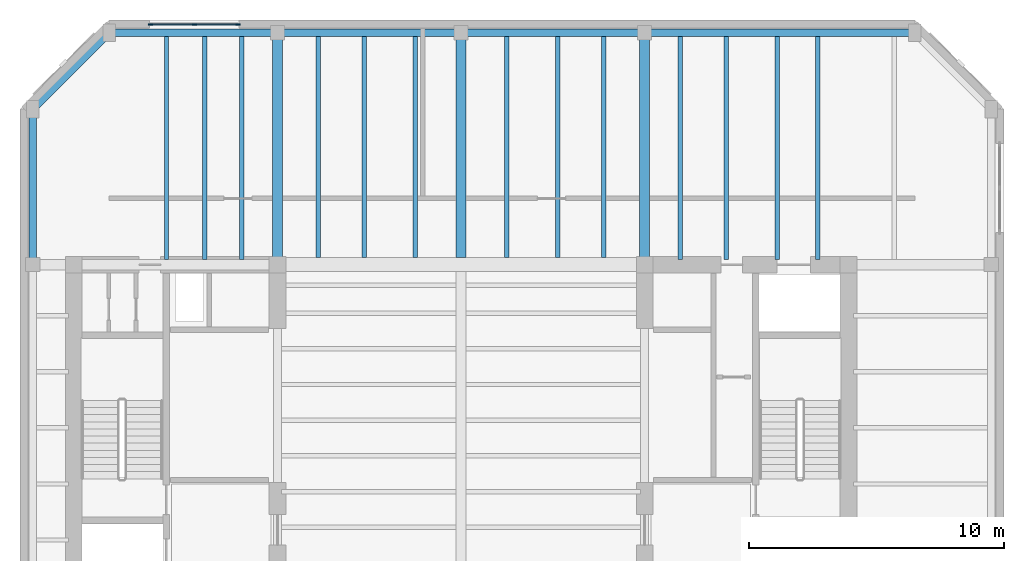
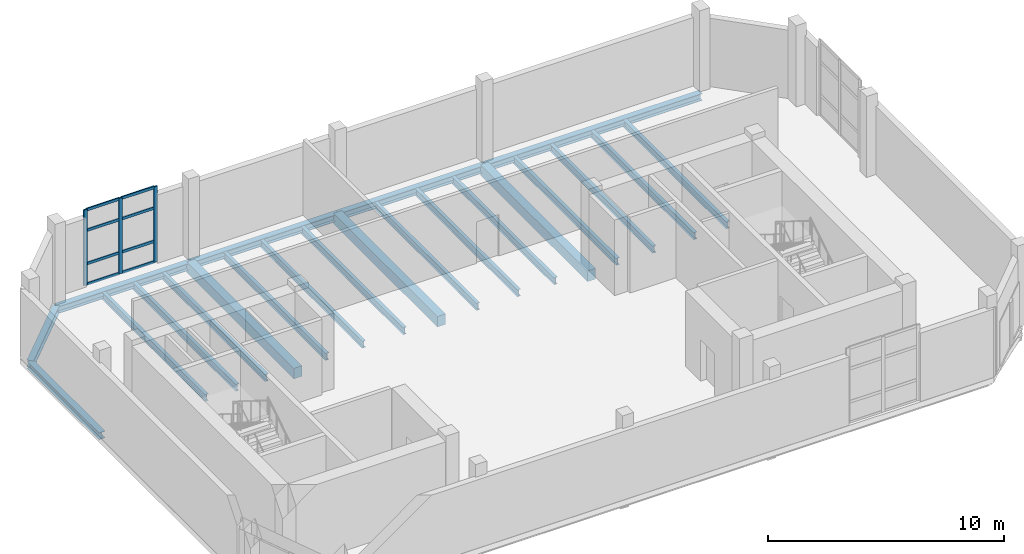
# One storey, part 3 of 8: 22 beams, 11 members, 1 element without a shape of its own.
"""IFC4 building model written with IfcOpenShell, lengths in metres."""

from ifc_helpers import new_model, si_unit, direction, frame, origin, origin_2d, place, context, subcontext, project, spatial, rectangle, i_section, extrude, material, layer, layer_set, material_profile, profile_set, type_object, element, aggregate, save


model = new_model("IFC4")

# Units and contexts
model_context = context("Model", 3, precision=1e-05, world=origin(), true_north=direction((0.0, 1.0)))
body_context = subcontext(model_context, "Body", "Model", "MODEL_VIEW")
ifc_project = project(units=[si_unit("LENGTHUNIT", "METRE"), si_unit("AREAUNIT", "SQUARE_METRE"), si_unit("VOLUMEUNIT", "CUBIC_METRE"), si_unit("PLANEANGLEUNIT", "RADIAN"), si_unit("MASSUNIT", "GRAM", prefix="KILO")], contexts=[model_context])

# Site, building, storey
site_placement = place(None, origin())
site = spatial("IfcSite", under=ifc_project, at=site_placement, CompositionType="ELEMENT")
building_placement = place(site_placement, origin())
building = spatial("IfcBuilding", under=site, at=building_placement, Name="Kranthara Brick Stack", CompositionType="ELEMENT")
storey_placement = place(building_placement, frame((0.0, 0.0, 300.60009765625)))
storey = spatial("IfcBuildingStorey", under=building, at=storey_placement, Name="L79", CompositionType="ELEMENT", Elevation=300.60009765625)

# Beams
ifc_material_1 = material(Name="Post-tensioned concrete C45/55", Category="concrete")
ifc_material_profile_1 = material_profile(ifc_material_1, rectangle(XDim=0.39990234375, YDim=0.550048828125, at=origin_2d()), Name="PT 400x550")
ifc_profile_set_1 = profile_set([ifc_material_profile_1], Name="Post-tensioned concrete C45/55")
beam_type_1 = type_object("IfcBeamType", Name="BM-FLR-PT550", PredefinedType="BEAM", material=ifc_profile_set_1)
beam_1_placement = place(storey_placement, frame((20.800048828125, 33.60009765625, -0.55517578125), z_axis=(0.0, 1.0, 0.0), x_axis=(-1.0, 0.0, 0.0)))
element("IfcBeam", 1, at=beam_1_placement, inside=storey, type_object=beam_type_1, Name="L79 Primary Grid Girder 022", PredefinedType="BEAM", context=body_context, shape_type="SweptSolid", body=[
    extrude(rectangle(XDim=0.39990234375, YDim=0.550048828125, at=origin_2d()), origin(), (0.0, 0.0, 1.0), 9.099853515625),
])
beam_2_placement = place(storey_placement, frame((28.0, 33.875, -0.55517578125), z_axis=(0.0, 1.0, 0.0), x_axis=(-1.0, 0.0, 0.0)))
element("IfcBeam", 2, at=beam_2_placement, inside=storey, type_object=beam_type_1, Name="L79 Primary Grid Girder 025", PredefinedType="BEAM", context=body_context, shape_type="SweptSolid", body=[
    extrude(rectangle(XDim=0.39990234375, YDim=0.550048828125, at=origin_2d()), origin(), (0.0, 0.0, 1.0), 8.824951171875),
])
beam_3_placement = place(storey_placement, frame((35.199951171875, 33.60009765625, -0.55517578125), z_axis=(0.0, 1.0, 0.0), x_axis=(-1.0, 0.0, 0.0)))
element("IfcBeam", 3, at=beam_3_placement, inside=storey, type_object=beam_type_1, Name="L79 Primary Grid Girder 027", PredefinedType="BEAM", context=body_context, shape_type="SweptSolid", body=[
    extrude(rectangle(XDim=0.39990234375, YDim=0.550048828125, at=origin_2d()), origin(), (0.0, 0.0, 1.0), 9.099853515625),
])
ifc_material_2 = material(Name="Steel S355", Category="steel")
ifc_material_profile_2 = material_profile(ifc_material_2, i_section(OverallWidth=0.169921875, OverallDepth=0.360107421875, WebThickness=0.008056640625, FlangeThickness=0.0126953125, at=origin_2d()), Name="IPE 360")
ifc_profile_set_2 = profile_set([ifc_material_profile_2], Name="Steel S355")
beam_type_2 = type_object("IfcBeamType", Name="BM-JST-IPE360", PredefinedType="JOIST", material=ifc_profile_set_2)
for number, where, z_axis, x_axis, name in (
    (4, (16.449951171875, 33.800048828125, -0.460205078125), (0.0, 1.0, 0.0), (-1.0, 0.0, 0.0), "L79 North Wing Floor Joist 051"),
    (5, (17.949951171875, 33.800048828125, -0.460205078125), (0.0, 1.0, 0.0), (-1.0, 0.0, 0.0), "L79 North Wing Floor Joist 053"),
    (6, (19.39990234375, 33.800048828125, -0.460205078125), (0.0, 1.0, 0.0), (-1.0, 0.0, 0.0), "L79 North Wing Floor Joist 055"),
):
    element("IfcBeam", number, at=place(storey_placement, frame(where, z_axis=z_axis, x_axis=x_axis)), inside=storey, type_object=beam_type_2, Name=name, PredefinedType="JOIST", context=body_context, shape_type="SweptSolid", body=[
        extrude(i_section(OverallWidth=0.169921875, OverallDepth=0.360107421875, WebThickness=0.008056640625, FlangeThickness=0.0126953125, at=origin_2d()), origin(), (0.0, 0.0, 1.0), 8.75),
    ])
for number, where, z_axis, x_axis, name in (
    (7, (22.39990234375, 33.875, -0.460205078125), (0.0, 1.0, 0.0), (-1.0, 0.0, 0.0), "L79 North Wing Floor Joist 057"),
    (8, (24.199951171875, 33.875, -0.460205078125), (0.0, 1.0, 0.0), (-1.0, 0.0, 0.0), "L79 North Wing Floor Joist 059"),
    (9, (26.199951171875, 33.875, -0.460205078125), (0.0, 1.0, 0.0), (-1.0, 0.0, 0.0), "L79 North Wing Floor Joist 061"),
    (10, (29.800048828125, 33.875, -0.460205078125), (0.0, 1.0, 0.0), (-1.0, 0.0, 0.0), "L79 North Wing Floor Joist 063"),
    (11, (31.800048828125, 33.875, -0.460205078125), (0.0, 1.0, 0.0), (-1.0, 0.0, 0.0), "L79 North Wing Floor Joist 065"),
    (12, (33.60009765625, 33.875, -0.460205078125), (0.0, 1.0, 0.0), (-1.0, 0.0, 0.0), "L79 North Wing Floor Joist 067"),
):
    element("IfcBeam", number, at=place(storey_placement, frame(where, z_axis=z_axis, x_axis=x_axis)), inside=storey, type_object=beam_type_2, Name=name, PredefinedType="JOIST", context=body_context, shape_type="SweptSolid", body=[
        extrude(i_section(OverallWidth=0.169921875, OverallDepth=0.360107421875, WebThickness=0.008056640625, FlangeThickness=0.0126953125, at=origin_2d()), origin(), (0.0, 0.0, 1.0), 8.675048828125),
    ])
for number, where, z_axis, x_axis, name in (
    (13, (36.60009765625, 33.800048828125, -0.460205078125), (0.0, 1.0, 0.0), (-1.0, 0.0, 0.0), "L79 North Wing Floor Joist 069"),
    (14, (38.39990234375, 33.800048828125, -0.460205078125), (0.0, 1.0, 0.0), (-1.0, 0.0, 0.0), "L79 North Wing Floor Joist 071"),
    (15, (40.39990234375, 33.800048828125, -0.460205078125), (0.0, 1.0, 0.0), (-1.0, 0.0, 0.0), "L79 North Wing Floor Joist 073"),
    (16, (42.0, 33.800048828125, -0.460205078125), (0.0, 1.0, 0.0), (-1.0, 0.0, 0.0), "L79 North Wing Floor Joist 075"),
):
    element("IfcBeam", number, at=place(storey_placement, frame(where, z_axis=z_axis, x_axis=x_axis)), inside=storey, type_object=beam_type_2, Name=name, PredefinedType="JOIST", context=body_context, shape_type="SweptSolid", body=[
        extrude(i_section(OverallWidth=0.169921875, OverallDepth=0.360107421875, WebThickness=0.008056640625, FlangeThickness=0.0126953125, at=origin_2d()), origin(), (0.0, 0.0, 1.0), 8.75),
    ])
ifc_material_3 = material(Name="Steel S355", Category="steel")
ifc_material_profile_3 = material_profile(ifc_material_3, i_section(OverallWidth=0.300048828125, OverallDepth=0.360107421875, WebThickness=0.012451171875, FlangeThickness=0.0224609375, at=origin_2d()), Name="HEB 360")
ifc_profile_set_3 = profile_set([ifc_material_profile_3], Name="Steel S355")
beam_type_3 = type_object("IfcBeamType", Name="BM-STL-HEB360", PredefinedType="SPANDREL", material=ifc_profile_set_3)
beam_4_placement = place(storey_placement, frame((14.199951171875, 42.699951171875, -0.460205078125), z_axis=(1.0, 0.0, 0.0), x_axis=(0.0, 1.0, 0.0)))
element("IfcBeam", 17, at=beam_4_placement, inside=storey, type_object=beam_type_3, Name="L79 Perimeter Spandrel Beam 009", PredefinedType="SPANDREL", context=body_context, shape_type="SweptSolid", body=[
    extrude(i_section(OverallWidth=0.300048828125, OverallDepth=0.360107421875, WebThickness=0.012451171875, FlangeThickness=0.0224609375, at=origin_2d()), origin(), (0.0, 0.0, 1.0), 6.60009765625),
])
for number, where, z_axis, x_axis, name in (
    (18, (20.800048828125, 42.699951171875, -0.460205078125), (1.0, 0.0, 0.0), (0.0, 1.0, 0.0), "L79 Perimeter Spandrel Beam 010"),
    (19, (28.0, 42.699951171875, -0.460205078125), (1.0, 0.0, 0.0), (0.0, 1.0, 0.0), "L79 Perimeter Spandrel Beam 011"),
):
    element("IfcBeam", number, at=place(storey_placement, frame(where, z_axis=z_axis, x_axis=x_axis)), inside=storey, type_object=beam_type_3, Name=name, PredefinedType="SPANDREL", context=body_context, shape_type="SweptSolid", body=[
        extrude(i_section(OverallWidth=0.300048828125, OverallDepth=0.360107421875, WebThickness=0.012451171875, FlangeThickness=0.0224609375, at=origin_2d()), origin(), (0.0, 0.0, 1.0), 7.199951171875),
    ])
beam_5_placement = place(storey_placement, frame((35.199951171875, 42.699951171875, -0.460205078125), z_axis=(1.0, 0.0, 0.0), x_axis=(0.0, 1.0, 0.0)))
element("IfcBeam", 20, at=beam_5_placement, inside=storey, type_object=beam_type_3, Name="L79 Perimeter Spandrel Beam 012", PredefinedType="SPANDREL", context=body_context, shape_type="SweptSolid", body=[
    extrude(i_section(OverallWidth=0.300048828125, OverallDepth=0.360107421875, WebThickness=0.012451171875, FlangeThickness=0.0224609375, at=origin_2d()), origin(), (0.0, 0.0, 1.0), 10.60009765625),
])
beam_6_placement = place(storey_placement, frame((11.199951171875, 33.60009765625, -0.460205078125), z_axis=(0.0, 1.0, 0.0), x_axis=(-1.0, 0.0, 0.0)))
element("IfcBeam", 21, at=beam_6_placement, inside=storey, type_object=beam_type_3, Name="L79 Perimeter Spandrel Beam 014", PredefinedType="SPANDREL", context=body_context, shape_type="SweptSolid", body=[
    extrude(i_section(OverallWidth=0.300048828125, OverallDepth=0.360107421875, WebThickness=0.012451171875, FlangeThickness=0.0224609375, at=origin_2d()), origin(), (0.0, 0.0, 1.0), 6.099853515625),
])
beam_7_placement = place(storey_placement, frame((14.199951171875, 42.699951171875, -0.460205078125), z_axis=(-0.707106781187, -0.707106781187, 0.0), x_axis=(0.707106781187, -0.707106781187, 0.0)))
element("IfcBeam", 22, at=beam_7_placement, inside=storey, type_object=beam_type_3, Name="L79 Chamfer Corner Spandrel 019", PredefinedType="SPANDREL", context=body_context, shape_type="SweptSolid", body=[
    extrude(i_section(OverallWidth=0.300048828125, OverallDepth=0.360107421875, WebThickness=0.012451171875, FlangeThickness=0.0224609375, at=origin_2d()), origin(), (0.0, 0.0, 1.0), 4.24267578125),
])

# Curtain wall, members
ifc_material_4 = material(Name="Bronze anodised aluminium and low-E glass", Category="aluminium")
ifc_layer = layer(ifc_material_4, 0.25)
ifc_layer_set = layer_set([ifc_layer], Name="Bronze anodised aluminium and low-E glass")
curtain_wall_type = type_object("IfcCurtainWallType", Name="CW-SYS6-CROWN", PredefinedType="USERDEFINED", material=ifc_layer_set)
curtain_wall_placement = place(storey_placement, origin())
curtain_wall = element("IfcCurtainWall", 23, at=curtain_wall_placement, inside=storey, type_object=curtain_wall_type, Name="L79 Curtain Wall CW6-L79-02", ObjectType="UNITISED CURTAIN WALL", PredefinedType="USERDEFINED")
ifc_material_5 = material(Name="Bronze anodised aluminium 6063-T6", Category="aluminium")
ifc_material_profile_4 = material_profile(ifc_material_5, rectangle(XDim=0.06494140625, YDim=0.179931640625, at=origin_2d()), Name="ALU MULLION 65x180")
ifc_profile_set_4 = profile_set([ifc_material_profile_4], Name="Bronze anodised aluminium 6063-T6")
member_type_1 = type_object("IfcMemberType", Name="CWM-65x180", PredefinedType="MULLION", material=ifc_profile_set_4)
member_1_placement = place(storey_placement, frame((15.820556640625, 43.030029296875, 0.0), z_axis=(0.0, 0.0, 1.0), x_axis=(0.0, 1.0, 0.0)))
member_1 = element("IfcMember", 24, at=member_1_placement, type_object=member_type_1, Name="CW mullion 1", PredefinedType="MULLION", context=body_context, shape_type="SweptSolid", body=[
    extrude(rectangle(XDim=0.06494140625, YDim=0.179931640625, at=origin_2d()), origin(), (0.0, 0.0, 1.0), 3.919921875),
])
member_2_placement = place(storey_placement, frame((17.5380859375, 43.030029296875, 0.0), z_axis=(0.0, 0.0, 1.0), x_axis=(0.0, 1.0, 0.0)))
member_2 = element("IfcMember", 25, at=member_2_placement, type_object=member_type_1, Name="CW mullion 2", PredefinedType="MULLION", context=body_context, shape_type="SweptSolid", body=[
    extrude(rectangle(XDim=0.06494140625, YDim=0.179931640625, at=origin_2d()), origin(), (0.0, 0.0, 1.0), 3.919921875),
])
member_3_placement = place(storey_placement, frame((19.255615234375, 43.030029296875, 0.0), z_axis=(0.0, 0.0, 1.0), x_axis=(0.0, 1.0, 0.0)))
member_3 = element("IfcMember", 26, at=member_3_placement, type_object=member_type_1, Name="CW mullion 3", PredefinedType="MULLION", context=body_context, shape_type="SweptSolid", body=[
    extrude(rectangle(XDim=0.06494140625, YDim=0.179931640625, at=origin_2d()), origin(), (0.0, 0.0, 1.0), 3.919921875),
])
ifc_material_6 = material(Name="Bronze anodised aluminium 6063-T6", Category="aluminium")
ifc_material_profile_5 = material_profile(ifc_material_6, rectangle(XDim=0.06494140625, YDim=0.139892578125, at=origin_2d()), Name="ALU TRANSOM 65x140")
ifc_profile_set_5 = profile_set([ifc_material_profile_5], Name="Bronze anodised aluminium 6063-T6")
member_type_2 = type_object("IfcMemberType", Name="CWT-65x140", PredefinedType="USERDEFINED", material=ifc_profile_set_5)
member_4_placement = place(storey_placement, frame((15.85302734375, 43.030029296875, 0.032470703125), z_axis=(1.0, 0.0, 0.0), x_axis=(0.0, 1.0, 0.0)))
member_4 = element("IfcMember", 27, at=member_4_placement, type_object=member_type_2, Name="CW transom 1.1", ObjectType="TRANSOM", PredefinedType="USERDEFINED", context=body_context, shape_type="SweptSolid", body=[
    extrude(rectangle(XDim=0.06494140625, YDim=0.139892578125, at=origin_2d()), origin(), (0.0, 0.0, 1.0), 1.652587890625),
])
member_5_placement = place(storey_placement, frame((15.85302734375, 43.030029296875, 1.097412109375), z_axis=(1.0, 0.0, 0.0), x_axis=(0.0, 1.0, 0.0)))
member_5 = element("IfcMember", 28, at=member_5_placement, type_object=member_type_2, Name="CW transom 1.2", ObjectType="TRANSOM", PredefinedType="USERDEFINED", context=body_context, shape_type="SweptSolid", body=[
    extrude(rectangle(XDim=0.06494140625, YDim=0.139892578125, at=origin_2d()), origin(), (0.0, 0.0, 1.0), 1.652587890625),
])
member_6_placement = place(storey_placement, frame((15.85302734375, 43.030029296875, 2.822265625), z_axis=(1.0, 0.0, 0.0), x_axis=(0.0, 1.0, 0.0)))
member_6 = element("IfcMember", 29, at=member_6_placement, type_object=member_type_2, Name="CW transom 1.3", ObjectType="TRANSOM", PredefinedType="USERDEFINED", context=body_context, shape_type="SweptSolid", body=[
    extrude(rectangle(XDim=0.06494140625, YDim=0.139892578125, at=origin_2d()), origin(), (0.0, 0.0, 1.0), 1.652587890625),
])
member_7_placement = place(storey_placement, frame((15.85302734375, 43.030029296875, 3.887451171875), z_axis=(1.0, 0.0, 0.0), x_axis=(0.0, 1.0, 0.0)))
member_7 = element("IfcMember", 30, at=member_7_placement, type_object=member_type_2, Name="CW transom 1.4", ObjectType="TRANSOM", PredefinedType="USERDEFINED", context=body_context, shape_type="SweptSolid", body=[
    extrude(rectangle(XDim=0.06494140625, YDim=0.139892578125, at=origin_2d()), origin(), (0.0, 0.0, 1.0), 1.652587890625),
])
member_8_placement = place(storey_placement, frame((17.570556640625, 43.030029296875, 0.032470703125), z_axis=(1.0, 0.0, 0.0), x_axis=(0.0, 1.0, 0.0)))
member_8 = element("IfcMember", 31, at=member_8_placement, type_object=member_type_2, Name="CW transom 2.1", ObjectType="TRANSOM", PredefinedType="USERDEFINED", context=body_context, shape_type="SweptSolid", body=[
    extrude(rectangle(XDim=0.06494140625, YDim=0.139892578125, at=origin_2d()), origin(), (0.0, 0.0, 1.0), 1.65234375),
])
member_9_placement = place(storey_placement, frame((17.570556640625, 43.030029296875, 1.097412109375), z_axis=(1.0, 0.0, 0.0), x_axis=(0.0, 1.0, 0.0)))
member_9 = element("IfcMember", 32, at=member_9_placement, type_object=member_type_2, Name="CW transom 2.2", ObjectType="TRANSOM", PredefinedType="USERDEFINED", context=body_context, shape_type="SweptSolid", body=[
    extrude(rectangle(XDim=0.06494140625, YDim=0.139892578125, at=origin_2d()), origin(), (0.0, 0.0, 1.0), 1.65234375),
])
member_10_placement = place(storey_placement, frame((17.570556640625, 43.030029296875, 2.822265625), z_axis=(1.0, 0.0, 0.0), x_axis=(0.0, 1.0, 0.0)))
member_10 = element("IfcMember", 33, at=member_10_placement, type_object=member_type_2, Name="CW transom 2.3", ObjectType="TRANSOM", PredefinedType="USERDEFINED", context=body_context, shape_type="SweptSolid", body=[
    extrude(rectangle(XDim=0.06494140625, YDim=0.139892578125, at=origin_2d()), origin(), (0.0, 0.0, 1.0), 1.65234375),
])
member_11_placement = place(storey_placement, frame((17.570556640625, 43.030029296875, 3.887451171875), z_axis=(1.0, 0.0, 0.0), x_axis=(0.0, 1.0, 0.0)))
member_11 = element("IfcMember", 34, at=member_11_placement, type_object=member_type_2, Name="CW transom 2.4", ObjectType="TRANSOM", PredefinedType="USERDEFINED", context=body_context, shape_type="SweptSolid", body=[
    extrude(rectangle(XDim=0.06494140625, YDim=0.139892578125, at=origin_2d()), origin(), (0.0, 0.0, 1.0), 1.65234375),
])
aggregate(curtain_wall, [member_1, member_2, member_3, member_4, member_5, member_6, member_7, member_8, member_9, member_10, member_11])

save(model, "model.ifc")
